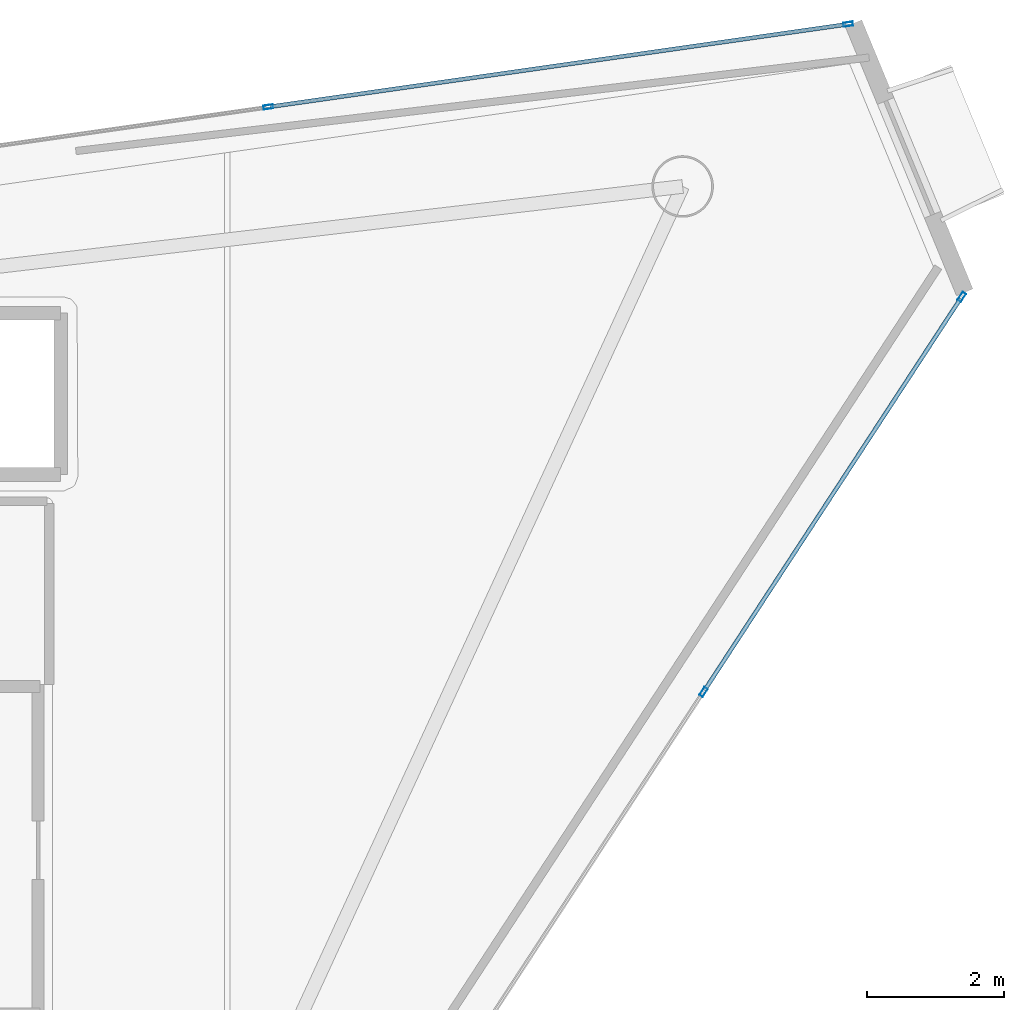
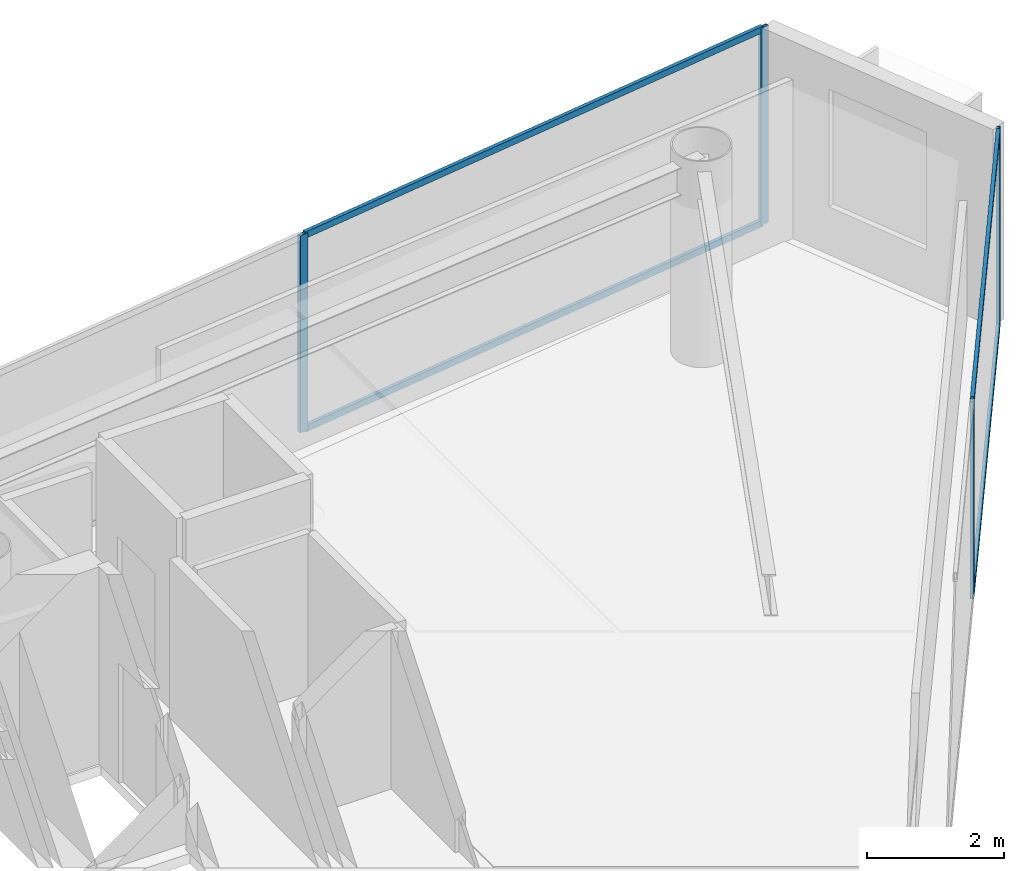
# One storey, part 18 of 25: 8 members, 2 elements without a shape of their own.
"""IFC4 building model written with IfcOpenShell, lengths in metres."""

import ifcopenshell
import ifcopenshell.guid

model = None  # the IFC model being written
_history = None  # IfcOwnerHistory: only IFC2X3 demands one
_inside = {}  # id of a spatial element -> (the spatial element, [elements in it])
_under = {}  # id of a project, library or spatial element -> (it, [spatial elements below it])
_declared = {}  # id of a project -> (the project, [libraries it declares])
_typed = {}  # id of a type object -> (the type object, [elements of that type])
_made_of = {}  # id of a material, layer set ... -> (it, [elements and type objects made of it])


def new_model(schema):
    """Start an empty IFC model of exactly this schema.

    Asked for "IFC4X3", IfcOpenShell would pick the latest addendum, in which some entities
    have other attributes; the version numbers below select the first issue.
    IFC2X3 requires an IfcOwnerHistory on every rooted entity: one is made here for all.
    """
    global model, _history
    if schema == "IFC4X3":
        model = ifcopenshell.file(schema_version=(4, 3, 0, 0))
    else:
        model = ifcopenshell.file(schema=schema)
    _inside.clear()
    _under.clear()
    _declared.clear()
    _typed.clear()
    _made_of.clear()
    _history = None
    if model.schema == "IFC2X3":
        org = make("IfcOrganization", Name="unknown")
        user = make(
            "IfcPersonAndOrganization",
            ThePerson=make("IfcPerson", FamilyName="unknown"),
            TheOrganization=org,
        )
        app = make(
            "IfcApplication",
            ApplicationDeveloper=org,
            Version="unknown",
            ApplicationFullName="unknown",
            ApplicationIdentifier="unknown",
        )
        _history = make(
            "IfcOwnerHistory",
            OwningUser=user,
            OwningApplication=app,
            ChangeAction="ADDED",
            CreationDate=0,
        )
    return model


def make(cls, **values):
    """One entity of the class cls with the attributes given. An attribute that is None is left unset."""
    return model.create_entity(
        cls, **{name: value for name, value in values.items() if value is not None}
    )


def rooted(cls, **values):
    """An entity with a GlobalId (a new one), such as an element, a storey or a relation."""
    return make(cls, GlobalId=ifcopenshell.guid.new(), OwnerHistory=_history, **values)


def si_unit(unit_type, name, prefix=None):
    """IfcSIUnit, for example si_unit("LENGTHUNIT", "METRE", prefix="MILLI")."""
    return make("IfcSIUnit", UnitType=unit_type, Prefix=prefix, Name=name)


def assignment(units):
    """IfcUnitAssignment: the units of a project."""
    return None if units is None else make("IfcUnitAssignment", Units=units)


def point(xyz):
    """IfcCartesianPoint."""
    return None if xyz is None else make("IfcCartesianPoint", Coordinates=xyz)


def direction(xyz):
    """IfcDirection."""
    return None if xyz is None else make("IfcDirection", DirectionRatios=xyz)


def frame(location, z_axis=None, x_axis=None):
    """IfcAxis2Placement3D, a coordinate frame: its origin and axes. An axis left out is left unset."""
    return make(
        "IfcAxis2Placement3D",
        Location=point(location),
        Axis=direction(z_axis),
        RefDirection=direction(x_axis),
    )


def frame_2d(location, x_axis=None):
    """IfcAxis2Placement2D, a coordinate frame in the plane: its origin and x axis."""
    return make(
        "IfcAxis2Placement2D", Location=point(location), RefDirection=direction(x_axis)
    )


def origin():
    """The frame at (0, 0, 0) with its axes left unset."""
    return frame((0.0, 0.0, 0.0))


def origin_2d():
    """The frame at (0, 0) in the plane with its x axis left unset."""
    return frame_2d((0.0, 0.0))


def place(relative_to, where):
    """IfcLocalPlacement: puts the frame where relative to a parent placement (None: the world)."""
    return make(
        "IfcLocalPlacement", PlacementRelTo=relative_to, RelativePlacement=where
    )


def context(
    kind, dimensions, precision=None, world=None, true_north=None, identifier=None
):
    """IfcGeometricRepresentationContext, for example the 3D "Model" context."""
    return make(
        "IfcGeometricRepresentationContext",
        ContextIdentifier=identifier,
        ContextType=kind,
        CoordinateSpaceDimension=dimensions,
        Precision=precision,
        WorldCoordinateSystem=world,
        TrueNorth=true_north,
    )


def subcontext(parent, identifier, kind, view, scale=None):
    """IfcGeometricRepresentationSubContext, for example "Body" below "Model"."""
    return make(
        "IfcGeometricRepresentationSubContext",
        ContextIdentifier=identifier,
        ContextType=kind,
        ParentContext=parent,
        TargetScale=scale,
        TargetView=view,
    )


def project(units=None, contexts=None):
    """IfcProject with its units and contexts."""
    return rooted(
        "IfcProject",
        Name="project",
        RepresentationContexts=contexts,
        UnitsInContext=assignment(units),
    )


def spatial(cls, under=None, at=None, **own):
    """A site, building, storey or space (cls), placed at a placement, below another one or the project."""
    s = rooted(cls, ObjectPlacement=at, **own)
    if under is not None:
        _under.setdefault(under.id(), (under, []))[1].append(s)
    return s


def profile(cls, at=None, kind="AREA", **sizes):
    """A parametric profile (cls). Its sizes go by their IFC names, for example OverallWidth=200.0."""
    return make(cls, ProfileType=kind, Position=at, **sizes)


def hollow_rectangle(**sizes):
    """IfcRectangleHollowProfileDef."""
    return profile("IfcRectangleHollowProfileDef", **sizes)


def extrude(swept, where, along, depth):
    """IfcExtrudedAreaSolid: the profile swept, set in the frame where, extruded along a direction by depth."""
    return make(
        "IfcExtrudedAreaSolid",
        SweptArea=swept,
        Position=where,
        ExtrudedDirection=direction(along),
        Depth=depth,
    )


def shape(context_of_items, identifier, shape_type, items):
    """IfcShapeRepresentation: the items that make up one representation, for example the "Body"."""
    return make(
        "IfcShapeRepresentation",
        ContextOfItems=context_of_items,
        RepresentationIdentifier=identifier,
        RepresentationType=shape_type,
        Items=items,
    )


def material(Name=None, Category=None):
    """IfcMaterial."""
    return make("IfcMaterial", Name=Name, Category=Category)


def layer(
    of_material, thickness, ventilated=None, Name=None, Category=None, Priority=None
):
    """IfcMaterialLayer: one layer of a wall or slab, of a material (None: an air gap)."""
    return make(
        "IfcMaterialLayer",
        Material=of_material,
        LayerThickness=thickness,
        IsVentilated=ventilated,
        Name=Name,
        Category=Category,
        Priority=Priority,
    )


def layer_set(layers, Name=None):
    """IfcMaterialLayerSet."""
    return make("IfcMaterialLayerSet", MaterialLayers=layers, LayerSetName=Name)


def material_profile(
    of_material, cross_section, Name=None, Category=None, Priority=None
):
    """IfcMaterialProfile: a cross section and its material."""
    return make(
        "IfcMaterialProfile",
        Name=Name,
        Material=of_material,
        Profile=cross_section,
        Priority=Priority,
        Category=Category,
    )


def profile_set(profiles, Name=None, composite=None):
    """IfcMaterialProfileSet."""
    return make(
        "IfcMaterialProfileSet",
        Name=Name,
        MaterialProfiles=profiles,
        CompositeProfile=composite,
    )


def made_of(thing, what):
    """Note that an element or type object is made of a material, layer set ...; save() writes the relation."""
    if what is not None:
        _made_of.setdefault(what.id(), (what, []))[1].append(thing)
    return thing


def type_object(cls, material=None, **own):
    """A type object (cls), such as IfcWallType, which elements share."""
    return made_of(rooted(cls, **own), material)


def element(
    cls,
    number,
    at=None,
    inside=None,
    cuts=None,
    type_object=None,
    material=None,
    context=None,
    identifier="Body",
    shape_type=None,
    held_by="IfcProductDefinitionShape",
    body=None,
    shapes=None,
    **own,
):
    """One element of the class cls, such as IfcWall. Its Tag is "e" and its number.

    at: its placement. inside: the storey or other place that contains it. cuts: it is an
    opening in that element (IfcRelVoidsElement). A single representation is given by context,
    identifier, shape_type and body (its items); several are given by shapes. held_by: the class
    of the entity that holds the representations. save() writes the other relations.
    """
    e = rooted(cls, Tag="e%d" % number, ObjectPlacement=at, **own)
    if body is not None:
        shapes = [shape(context, identifier, shape_type, body)]
    if shapes is not None:
        e.Representation = make(held_by, Representations=shapes)
    if inside is not None:
        _inside.setdefault(inside.id(), (inside, []))[1].append(e)
    if cuts is not None:
        rooted(
            "IfcRelVoidsElement", RelatingBuildingElement=cuts, RelatedOpeningElement=e
        )
    if type_object is not None:
        _typed.setdefault(type_object.id(), (type_object, []))[1].append(e)
    return made_of(e, material)


def aggregate(whole, parts):
    """IfcRelAggregates: a whole, such as a stair, and the parts it consists of."""
    return rooted("IfcRelAggregates", RelatingObject=whole, RelatedObjects=parts)


def save(model, path):
    """Write the relations noted so far, then the file.

    IfcRelAggregates (storeys below a building ...), IfcRelContainedInSpatialStructure (elements
    in a storey), IfcRelDefinesByType, IfcRelAssociatesMaterial and IfcRelDeclares: one each for
    every whole, place, type object, material and project.
    """
    for whole, parts in _under.values():
        aggregate(whole, parts)
    for where, things in _inside.values():
        rooted(
            "IfcRelContainedInSpatialStructure",
            RelatedElements=things,
            RelatingStructure=where,
        )
    for kind, things in _typed.values():
        rooted("IfcRelDefinesByType", RelatedObjects=things, RelatingType=kind)
    for what, things in _made_of.values():
        rooted("IfcRelAssociatesMaterial", RelatedObjects=things, RelatingMaterial=what)
    for by, libraries in _declared.values():
        rooted("IfcRelDeclares", RelatingContext=by, RelatedDefinitions=libraries)
    model.write(path)


model = new_model("IFC4")

# Units and contexts
model_context = context("Model", 3, precision=1e-05, world=origin(), true_north=direction((0.0, 1.0)))
body_context = subcontext(model_context, "Body", "Model", "MODEL_VIEW")
ifc_project = project(units=[si_unit("LENGTHUNIT", "METRE"), si_unit("AREAUNIT", "SQUARE_METRE"), si_unit("VOLUMEUNIT", "CUBIC_METRE"), si_unit("PLANEANGLEUNIT", "RADIAN"), si_unit("MASSUNIT", "GRAM", prefix="KILO")], contexts=[model_context])

# Site, building, storey
site_placement = place(None, origin())
site = spatial("IfcSite", under=ifc_project, at=site_placement, CompositionType="ELEMENT")
building_placement = place(site_placement, origin())
building = spatial("IfcBuilding", under=site, at=building_placement, Name="Qianvela Tower", CompositionType="ELEMENT")
storey_placement = place(building_placement, frame((0.0, 0.0, 295.39990234375)))
storey = spatial("IfcBuildingStorey", under=building, at=storey_placement, Name="L76", CompositionType="ELEMENT", Elevation=295.39990234375)

# Curtain wall, members
ifc_material_1 = material(Name="Anodised Architectural Aluminium and Low-E Glass", Category="aluminium")
ifc_layer = layer(ifc_material_1, 0.14990234375)
ifc_layer_set = layer_set([ifc_layer], Name="Anodised Architectural Aluminium and Low-E Glass")
curtain_wall_type = type_object("IfcCurtainWallType", Name="CW-COLIV-Z78", PredefinedType="USERDEFINED", material=ifc_layer_set)
curtain_wall_1_placement = place(storey_placement, origin())
curtain_wall_1 = element("IfcCurtainWall", 1, at=curtain_wall_1_placement, inside=storey, type_object=curtain_wall_type, Name="L76 CW-COLIV-Z78 Curtain Wall 02A", ObjectType="CURTAIN_WALL_SYSTEM", PredefinedType="USERDEFINED")
ifc_material_2 = material(Name="Anodised Architectural Aluminium 6063-T6", Category="aluminium")
ifc_material_profile_1 = material_profile(ifc_material_2, hollow_rectangle(XDim=0.06005859375, YDim=0.139892578125, WallThickness=0.00439453125, at=origin_2d()), Name="ALU-MULL-60x140")
ifc_profile_set_1 = profile_set([ifc_material_profile_1], Name="Anodised Architectural Aluminium 6063-T6")
member_type_1 = type_object("IfcMemberType", Name="CW-COLIV-Z78-MULL", PredefinedType="MULLION", material=ifc_profile_set_1)
member_1_placement = place(storey_placement, frame((55.069091796875, 39.5087890625, 0.0), z_axis=(0.0, 0.0, 1.0), x_axis=(0.141366007281, -0.989957399076, 0.0)))
member_1 = element("IfcMember", 2, at=member_1_placement, type_object=member_type_1, Name="CW-6 mullion 1", PredefinedType="MULLION", context=body_context, shape_type="SweptSolid", body=[
    extrude(hollow_rectangle(XDim=0.06005859375, YDim=0.139892578125, WallThickness=0.00439453125, at=origin_2d()), origin(), (0.0, 0.0, 1.0), 3.52001953125),
])
member_2_placement = place(storey_placement, frame((46.585205078125, 38.29736328125, 0.0), z_axis=(0.0, 0.0, 1.0), x_axis=(0.141366007281, -0.989957399076, 0.0)))
member_2 = element("IfcMember", 3, at=member_2_placement, type_object=member_type_1, Name="CW-6 mullion 2", PredefinedType="MULLION", context=body_context, shape_type="SweptSolid", body=[
    extrude(hollow_rectangle(XDim=0.06005859375, YDim=0.139892578125, WallThickness=0.00439453125, at=origin_2d()), origin(), (0.0, 0.0, 1.0), 3.52001953125),
])

curtain_wall_2_placement = place(storey_placement, origin())
curtain_wall_2 = element("IfcCurtainWall", 4, at=curtain_wall_2_placement, inside=storey, type_object=curtain_wall_type, Name="L76 CW-COLIV-Z78 Curtain Wall 06C", ObjectType="CURTAIN_WALL_SYSTEM", PredefinedType="USERDEFINED")
member_3_placement = place(storey_placement, frame((52.952880859375, 29.7392578125, 0.0), z_axis=(0.0, 0.0, 1.0), x_axis=(-0.837079522696, 0.547081230424, 0.0)))
member_3 = element("IfcMember", 5, at=member_3_placement, type_object=member_type_1, Name="CW-6 mullion 4", PredefinedType="MULLION", context=body_context, shape_type="SweptSolid", body=[
    extrude(hollow_rectangle(XDim=0.06005859375, YDim=0.139892578125, WallThickness=0.00439453125, at=origin_2d()), origin(), (0.0, 0.0, 1.0), 3.52001953125),
])
member_4_placement = place(storey_placement, frame((56.73046875, 35.519287109375, 0.0), z_axis=(0.0, 0.0, 1.0), x_axis=(-0.837079522696, 0.547081230424, 0.0)))
member_4 = element("IfcMember", 6, at=member_4_placement, type_object=member_type_1, Name="CW-6 mullion 5", PredefinedType="MULLION", context=body_context, shape_type="SweptSolid", body=[
    extrude(hollow_rectangle(XDim=0.06005859375, YDim=0.139892578125, WallThickness=0.00439453125, at=origin_2d()), origin(), (0.0, 0.0, 1.0), 3.52001953125),
])

# Member
ifc_material_3 = material(Name="Anodised Architectural Aluminium 6063-T6", Category="aluminium")
ifc_material_profile_2 = material_profile(ifc_material_3, hollow_rectangle(XDim=0.06005859375, YDim=0.114990234375, WallThickness=0.00390625, at=origin_2d()), Name="ALU-TRAN-60x115")
ifc_profile_set_2 = profile_set([ifc_material_profile_2], Name="Anodised Architectural Aluminium 6063-T6")
member_type_2 = type_object("IfcMemberType", Name="CW-COLIV-Z78-TRAN", PredefinedType="USERDEFINED", material=ifc_profile_set_2)
member_5_placement = place(storey_placement, frame((55.039306640625, 39.504638671875, 0.030029296875), z_axis=(-0.989955804156, -0.141377175729, 0.0), x_axis=(0.141377175729, -0.989955804156, 0.0)))
member_5 = element("IfcMember", 7, at=member_5_placement, type_object=member_type_2, Name="CW-6 transom 1.1", ObjectType="TRANSOM", PredefinedType="USERDEFINED", context=body_context, shape_type="SweptSolid", body=[
    extrude(hollow_rectangle(XDim=0.06005859375, YDim=0.114990234375, WallThickness=0.00390625, at=origin_2d()), origin(), (0.0, 0.0, 1.0), 8.510009765625),
])

member_6_placement = place(storey_placement, frame((55.039306640625, 39.504638671875, 3.489990234375), z_axis=(-0.989955804156, -0.141377175729, 0.0), x_axis=(0.141377175729, -0.989955804156, 0.0)))
member_6 = element("IfcMember", 8, at=member_6_placement, type_object=member_type_2, Name="CW-6 transom 1.2", ObjectType="TRANSOM", PredefinedType="USERDEFINED", context=body_context, shape_type="SweptSolid", body=[
    extrude(hollow_rectangle(XDim=0.06005859375, YDim=0.114990234375, WallThickness=0.00390625, at=origin_2d()), origin(), (0.0, 0.0, 1.0), 8.510009765625),
])

aggregate(curtain_wall_1, [member_1, member_2, member_5, member_6])

member_7_placement = place(storey_placement, frame((52.96923828125, 29.764404296875, 0.030029296875), z_axis=(0.547080224916, 0.837080179855, 0.0), x_axis=(-0.837080179855, 0.547080224916, 0.0)))
member_7 = element("IfcMember", 9, at=member_7_placement, type_object=member_type_2, Name="CW-6 transom 4.1", ObjectType="TRANSOM", PredefinedType="USERDEFINED", context=body_context, shape_type="SweptSolid", body=[
    extrude(hollow_rectangle(XDim=0.06005859375, YDim=0.114990234375, WallThickness=0.00390625, at=origin_2d()), origin(), (0.0, 0.0, 1.0), 6.84521484375),
])

member_8_placement = place(storey_placement, frame((52.96923828125, 29.764404296875, 3.489990234375), z_axis=(0.547080224916, 0.837080179855, 0.0), x_axis=(-0.837080179855, 0.547080224916, 0.0)))
member_8 = element("IfcMember", 10, at=member_8_placement, type_object=member_type_2, Name="CW-6 transom 4.2", ObjectType="TRANSOM", PredefinedType="USERDEFINED", context=body_context, shape_type="SweptSolid", body=[
    extrude(hollow_rectangle(XDim=0.06005859375, YDim=0.114990234375, WallThickness=0.00390625, at=origin_2d()), origin(), (0.0, 0.0, 1.0), 6.84521484375),
])

aggregate(curtain_wall_2, [member_3, member_4, member_7, member_8])

save(model, "model.ifc")
